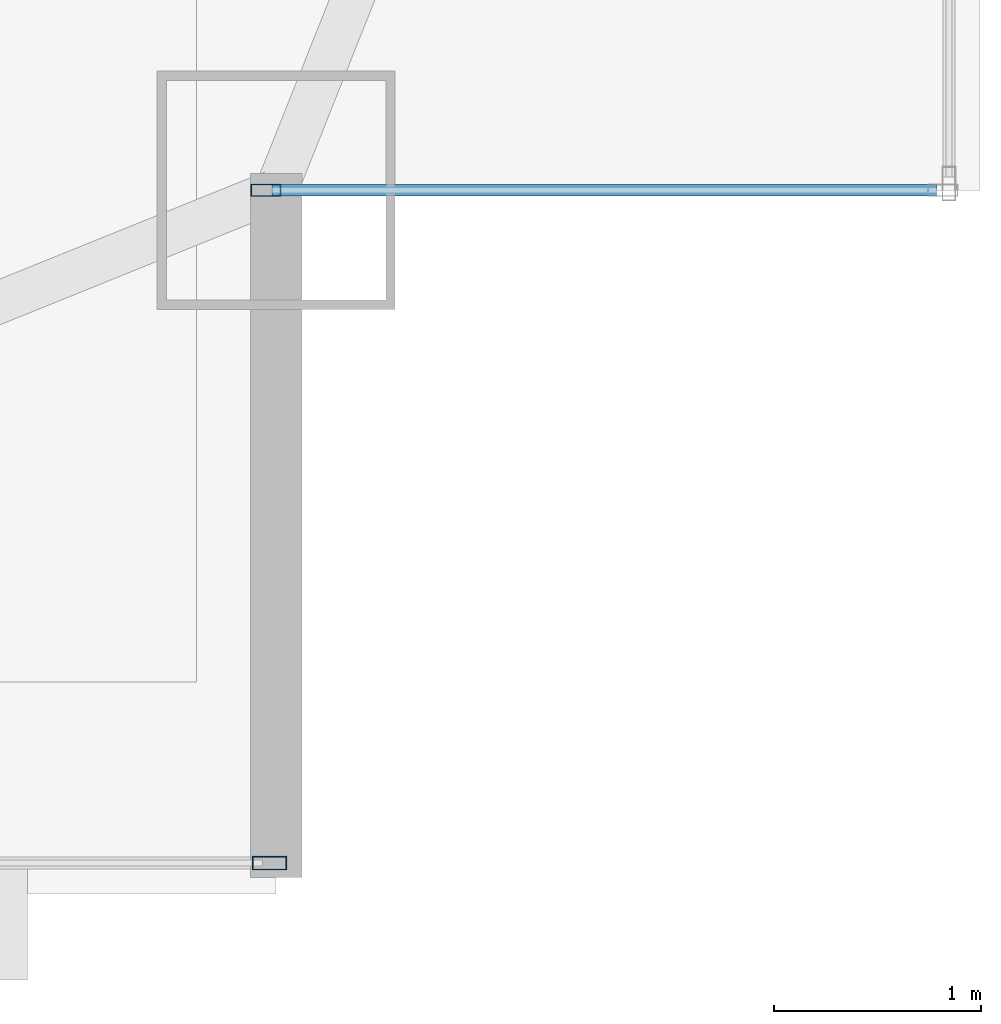
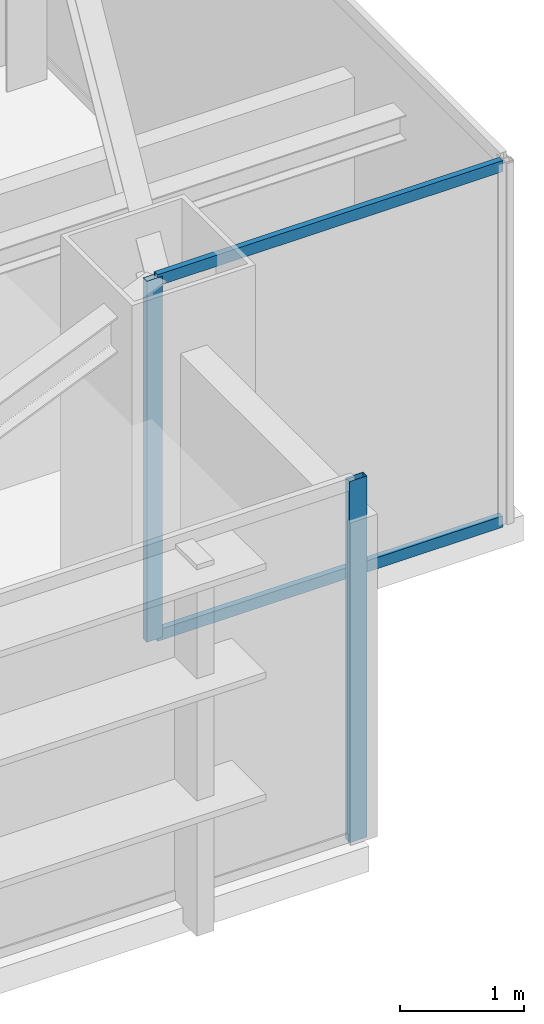
# One storey, part 11 of 25: 4 members, 2 elements without a shape of their own.
"""IFC4 building model written with IfcOpenShell, lengths in metres."""

import ifcopenshell
import ifcopenshell.guid

model = None  # the IFC model being written
_history = None  # IfcOwnerHistory: only IFC2X3 demands one
_inside = {}  # id of a spatial element -> (the spatial element, [elements in it])
_under = {}  # id of a project, library or spatial element -> (it, [spatial elements below it])
_declared = {}  # id of a project -> (the project, [libraries it declares])
_typed = {}  # id of a type object -> (the type object, [elements of that type])
_made_of = {}  # id of a material, layer set ... -> (it, [elements and type objects made of it])


def new_model(schema):
    """Start an empty IFC model of exactly this schema.

    Asked for "IFC4X3", IfcOpenShell would pick the latest addendum, in which some entities
    have other attributes; the version numbers below select the first issue.
    IFC2X3 requires an IfcOwnerHistory on every rooted entity: one is made here for all.
    """
    global model, _history
    if schema == "IFC4X3":
        model = ifcopenshell.file(schema_version=(4, 3, 0, 0))
    else:
        model = ifcopenshell.file(schema=schema)
    _inside.clear()
    _under.clear()
    _declared.clear()
    _typed.clear()
    _made_of.clear()
    _history = None
    if model.schema == "IFC2X3":
        org = make("IfcOrganization", Name="unknown")
        user = make(
            "IfcPersonAndOrganization",
            ThePerson=make("IfcPerson", FamilyName="unknown"),
            TheOrganization=org,
        )
        app = make(
            "IfcApplication",
            ApplicationDeveloper=org,
            Version="unknown",
            ApplicationFullName="unknown",
            ApplicationIdentifier="unknown",
        )
        _history = make(
            "IfcOwnerHistory",
            OwningUser=user,
            OwningApplication=app,
            ChangeAction="ADDED",
            CreationDate=0,
        )
    return model


def make(cls, **values):
    """One entity of the class cls with the attributes given. An attribute that is None is left unset."""
    return model.create_entity(
        cls, **{name: value for name, value in values.items() if value is not None}
    )


def rooted(cls, **values):
    """An entity with a GlobalId (a new one), such as an element, a storey or a relation."""
    return make(cls, GlobalId=ifcopenshell.guid.new(), OwnerHistory=_history, **values)


def si_unit(unit_type, name, prefix=None):
    """IfcSIUnit, for example si_unit("LENGTHUNIT", "METRE", prefix="MILLI")."""
    return make("IfcSIUnit", UnitType=unit_type, Prefix=prefix, Name=name)


def assignment(units):
    """IfcUnitAssignment: the units of a project."""
    return None if units is None else make("IfcUnitAssignment", Units=units)


def point(xyz):
    """IfcCartesianPoint."""
    return None if xyz is None else make("IfcCartesianPoint", Coordinates=xyz)


def direction(xyz):
    """IfcDirection."""
    return None if xyz is None else make("IfcDirection", DirectionRatios=xyz)


def frame(location, z_axis=None, x_axis=None):
    """IfcAxis2Placement3D, a coordinate frame: its origin and axes. An axis left out is left unset."""
    return make(
        "IfcAxis2Placement3D",
        Location=point(location),
        Axis=direction(z_axis),
        RefDirection=direction(x_axis),
    )


def frame_2d(location, x_axis=None):
    """IfcAxis2Placement2D, a coordinate frame in the plane: its origin and x axis."""
    return make(
        "IfcAxis2Placement2D", Location=point(location), RefDirection=direction(x_axis)
    )


def origin():
    """The frame at (0, 0, 0) with its axes left unset."""
    return frame((0.0, 0.0, 0.0))


def origin_2d():
    """The frame at (0, 0) in the plane with its x axis left unset."""
    return frame_2d((0.0, 0.0))


def place(relative_to, where):
    """IfcLocalPlacement: puts the frame where relative to a parent placement (None: the world)."""
    return make(
        "IfcLocalPlacement", PlacementRelTo=relative_to, RelativePlacement=where
    )


def context(
    kind, dimensions, precision=None, world=None, true_north=None, identifier=None
):
    """IfcGeometricRepresentationContext, for example the 3D "Model" context."""
    return make(
        "IfcGeometricRepresentationContext",
        ContextIdentifier=identifier,
        ContextType=kind,
        CoordinateSpaceDimension=dimensions,
        Precision=precision,
        WorldCoordinateSystem=world,
        TrueNorth=true_north,
    )


def subcontext(parent, identifier, kind, view, scale=None):
    """IfcGeometricRepresentationSubContext, for example "Body" below "Model"."""
    return make(
        "IfcGeometricRepresentationSubContext",
        ContextIdentifier=identifier,
        ContextType=kind,
        ParentContext=parent,
        TargetScale=scale,
        TargetView=view,
    )


def project(units=None, contexts=None):
    """IfcProject with its units and contexts."""
    return rooted(
        "IfcProject",
        Name="project",
        RepresentationContexts=contexts,
        UnitsInContext=assignment(units),
    )


def spatial(cls, under=None, at=None, **own):
    """A site, building, storey or space (cls), placed at a placement, below another one or the project."""
    s = rooted(cls, ObjectPlacement=at, **own)
    if under is not None:
        _under.setdefault(under.id(), (under, []))[1].append(s)
    return s


def profile(cls, at=None, kind="AREA", **sizes):
    """A parametric profile (cls). Its sizes go by their IFC names, for example OverallWidth=200.0."""
    return make(cls, ProfileType=kind, Position=at, **sizes)


def hollow_rectangle(**sizes):
    """IfcRectangleHollowProfileDef."""
    return profile("IfcRectangleHollowProfileDef", **sizes)


def extrude(swept, where, along, depth):
    """IfcExtrudedAreaSolid: the profile swept, set in the frame where, extruded along a direction by depth."""
    return make(
        "IfcExtrudedAreaSolid",
        SweptArea=swept,
        Position=where,
        ExtrudedDirection=direction(along),
        Depth=depth,
    )


def shape(context_of_items, identifier, shape_type, items):
    """IfcShapeRepresentation: the items that make up one representation, for example the "Body"."""
    return make(
        "IfcShapeRepresentation",
        ContextOfItems=context_of_items,
        RepresentationIdentifier=identifier,
        RepresentationType=shape_type,
        Items=items,
    )


def source(mapping_origin, context_of_items, identifier, shape_type, items):
    """IfcRepresentationMap: a shape defined once, which mapped items show again and again."""
    return make(
        "IfcRepresentationMap",
        MappingOrigin=mapping_origin,
        MappedRepresentation=shape(context_of_items, identifier, shape_type, items),
    )


def transform(
    local_origin,
    x_axis=None,
    y_axis=None,
    z_axis=None,
    scale=None,
    scale2=None,
    scale3=None,
    uniform=True,
):
    """IfcCartesianTransformationOperator3D, or its non-uniform kind. x_axis, y_axis, z_axis: its Axis1, 2, 3."""
    if uniform:
        return make(
            "IfcCartesianTransformationOperator3D",
            Axis1=direction(x_axis),
            Axis2=direction(y_axis),
            LocalOrigin=point(local_origin),
            Scale=scale,
            Axis3=direction(z_axis),
        )
    return make(
        "IfcCartesianTransformationOperator3DnonUniform",
        Axis1=direction(x_axis),
        Axis2=direction(y_axis),
        LocalOrigin=point(local_origin),
        Scale=scale,
        Axis3=direction(z_axis),
        Scale2=scale2,
        Scale3=scale3,
    )


def mapped(mapping_source, mapping_target):
    """IfcMappedItem: shows the shape of a source again, moved by a transform."""
    return make(
        "IfcMappedItem", MappingSource=mapping_source, MappingTarget=mapping_target
    )


def material(Name=None, Category=None):
    """IfcMaterial."""
    return make("IfcMaterial", Name=Name, Category=Category)


def layer(
    of_material, thickness, ventilated=None, Name=None, Category=None, Priority=None
):
    """IfcMaterialLayer: one layer of a wall or slab, of a material (None: an air gap)."""
    return make(
        "IfcMaterialLayer",
        Material=of_material,
        LayerThickness=thickness,
        IsVentilated=ventilated,
        Name=Name,
        Category=Category,
        Priority=Priority,
    )


def layer_set(layers, Name=None):
    """IfcMaterialLayerSet."""
    return make("IfcMaterialLayerSet", MaterialLayers=layers, LayerSetName=Name)


def material_profile(
    of_material, cross_section, Name=None, Category=None, Priority=None
):
    """IfcMaterialProfile: a cross section and its material."""
    return make(
        "IfcMaterialProfile",
        Name=Name,
        Material=of_material,
        Profile=cross_section,
        Priority=Priority,
        Category=Category,
    )


def profile_set(profiles, Name=None, composite=None):
    """IfcMaterialProfileSet."""
    return make(
        "IfcMaterialProfileSet",
        Name=Name,
        MaterialProfiles=profiles,
        CompositeProfile=composite,
    )


def made_of(thing, what):
    """Note that an element or type object is made of a material, layer set ...; save() writes the relation."""
    if what is not None:
        _made_of.setdefault(what.id(), (what, []))[1].append(thing)
    return thing


def type_object(cls, material=None, **own):
    """A type object (cls), such as IfcWallType, which elements share."""
    return made_of(rooted(cls, **own), material)


def type_shapes(of_type, sources):
    """Give a type object the sources (RepresentationMaps) that its elements show as mapped items."""
    of_type.RepresentationMaps = sources


def element(
    cls,
    number,
    at=None,
    inside=None,
    cuts=None,
    type_object=None,
    material=None,
    context=None,
    identifier="Body",
    shape_type=None,
    held_by="IfcProductDefinitionShape",
    body=None,
    shapes=None,
    **own,
):
    """One element of the class cls, such as IfcWall. Its Tag is "e" and its number.

    at: its placement. inside: the storey or other place that contains it. cuts: it is an
    opening in that element (IfcRelVoidsElement). A single representation is given by context,
    identifier, shape_type and body (its items); several are given by shapes. held_by: the class
    of the entity that holds the representations. save() writes the other relations.
    """
    e = rooted(cls, Tag="e%d" % number, ObjectPlacement=at, **own)
    if body is not None:
        shapes = [shape(context, identifier, shape_type, body)]
    if shapes is not None:
        e.Representation = make(held_by, Representations=shapes)
    if inside is not None:
        _inside.setdefault(inside.id(), (inside, []))[1].append(e)
    if cuts is not None:
        rooted(
            "IfcRelVoidsElement", RelatingBuildingElement=cuts, RelatedOpeningElement=e
        )
    if type_object is not None:
        _typed.setdefault(type_object.id(), (type_object, []))[1].append(e)
    return made_of(e, material)


def aggregate(whole, parts):
    """IfcRelAggregates: a whole, such as a stair, and the parts it consists of."""
    return rooted("IfcRelAggregates", RelatingObject=whole, RelatedObjects=parts)


def save(model, path):
    """Write the relations noted so far, then the file.

    IfcRelAggregates (storeys below a building ...), IfcRelContainedInSpatialStructure (elements
    in a storey), IfcRelDefinesByType, IfcRelAssociatesMaterial and IfcRelDeclares: one each for
    every whole, place, type object, material and project.
    """
    for whole, parts in _under.values():
        aggregate(whole, parts)
    for where, things in _inside.values():
        rooted(
            "IfcRelContainedInSpatialStructure",
            RelatedElements=things,
            RelatingStructure=where,
        )
    for kind, things in _typed.values():
        rooted("IfcRelDefinesByType", RelatedObjects=things, RelatingType=kind)
    for what, things in _made_of.values():
        rooted("IfcRelAssociatesMaterial", RelatedObjects=things, RelatingMaterial=what)
    for by, libraries in _declared.values():
        rooted("IfcRelDeclares", RelatingContext=by, RelatedDefinitions=libraries)
    model.write(path)


model = new_model("IFC4")

# Units and contexts
model_context = context("Model", 3, precision=1e-05, world=origin(), true_north=direction((0.0, 1.0)))
body_context = subcontext(model_context, "Body", "Model", "MODEL_VIEW")
ifc_project = project(units=[si_unit("LENGTHUNIT", "METRE"), si_unit("AREAUNIT", "SQUARE_METRE"), si_unit("VOLUMEUNIT", "CUBIC_METRE"), si_unit("PLANEANGLEUNIT", "RADIAN"), si_unit("MASSUNIT", "GRAM", prefix="KILO")], contexts=[model_context])

# Site, building, storey
site_placement = place(None, origin())
site = spatial("IfcSite", under=ifc_project, at=site_placement, CompositionType="ELEMENT")
building_placement = place(site_placement, origin())
building = spatial("IfcBuilding", under=site, at=building_placement, Name="Varnel Quay Broadcast Tower", CompositionType="ELEMENT")
storey_placement = place(building_placement, frame((0.0, 0.0, 226.39990234375)))
storey = spatial("IfcBuildingStorey", under=building, at=storey_placement, Name="L56", CompositionType="ELEMENT", Elevation=226.39990234375)

# Curtain wall, member
ifc_material = material(Name="Anodised Bronze Aluminium 6063-T6", Category="aluminium")
ifc_layer_1 = layer(ifc_material, 0.18994140625, Name="Anodised Bronze Aluminium 6063-T6")
ifc_layer_set_1 = layer_set([ifc_layer_1], Name="Anodised Bronze Aluminium 6063-T6")
curtain_wall_type_1 = type_object("IfcCurtainWallType", Name="CW_NotchCorner", PredefinedType="NOTDEFINED", material=ifc_layer_set_1)
curtain_wall_1_placement = place(storey_placement, origin())
curtain_wall_1 = element("IfcCurtainWall", 1, at=curtain_wall_1_placement, inside=storey, type_object=curtain_wall_type_1, Name="L56 SE Notch Curtain Wall", PredefinedType="NOTDEFINED")
ifc_material_profile_1 = material_profile(ifc_material, hollow_rectangle(XDim=0.06005859375, YDim=0.14501953125, WallThickness=0.00341796875, at=origin_2d()), Name="ALU60X145X3.5")
ifc_profile_set_1 = profile_set([ifc_material_profile_1], Name="Anodised Bronze Aluminium 6063-T6")
member_type_1 = type_object("IfcMemberType", Name="Mull_CWS-04", PredefinedType="MULLION", material=ifc_profile_set_1)
shared_shape_1 = source(origin(), body_context, "Body", "SweptSolid", [
    extrude(hollow_rectangle(XDim=0.06005859375, YDim=0.14501953125, WallThickness=0.00341796875, at=origin_2d()), origin(), (0.0, 0.0, 1.0), 3.550048828125),
])
type_shapes(member_type_1, [shared_shape_1])
member_1_placement = place(storey_placement, frame((55.050048828125, 13.60009765625, 0.0), z_axis=(0.0, 0.0, 1.0), x_axis=(0.0, 1.0, 0.0)))
member_1 = element("IfcMember", 2, at=member_1_placement, type_object=member_type_1, Name="CWS-04 mullion 1", PredefinedType="MULLION", context=body_context, shape_type="MappedRepresentation", body=[
    mapped(shared_shape_1, transform((0.0, 0.0, 0.0), x_axis=(1.0, 0.0, 0.0), y_axis=(0.0, 1.0, 0.0), z_axis=(0.0, 0.0, 1.0), scale=1.0)),
])

ifc_layer_2 = layer(ifc_material, 0.18994140625, Name="Anodised Bronze Aluminium 6063-T6")
ifc_layer_set_2 = layer_set([ifc_layer_2], Name="Anodised Bronze Aluminium 6063-T6")
curtain_wall_type_2 = type_object("IfcCurtainWallType", Name="CW_UpperTower", PredefinedType="NOTDEFINED", material=ifc_layer_set_2)
curtain_wall_2_placement = place(storey_placement, origin())
curtain_wall_2 = element("IfcCurtainWall", 3, at=curtain_wall_2_placement, inside=storey, type_object=curtain_wall_type_2, Name="L56 South Unitised Curtain Wall 1", PredefinedType="NOTDEFINED")
ifc_material_profile_2 = material_profile(ifc_material, hollow_rectangle(XDim=0.06494140625, YDim=0.1650390625, WallThickness=0.00341796875, at=origin_2d()), Name="ALU65X165X3.5")
ifc_profile_set_2 = profile_set([ifc_material_profile_2], Name="Anodised Bronze Aluminium 6063-T6")
member_type_2 = type_object("IfcMemberType", Name="Mull_CWS-03", PredefinedType="MULLION", material=ifc_profile_set_2)
shared_shape_2 = source(origin(), body_context, "Body", "SweptSolid", [
    extrude(hollow_rectangle(XDim=0.06494140625, YDim=0.1650390625, WallThickness=0.00341796875, at=origin_2d()), origin(), (0.0, 0.0, 1.0), 3.550048828125),
])
type_shapes(member_type_2, [shared_shape_2])
member_2_placement = place(storey_placement, frame((55.0673828125, 10.35009765625, 0.0), z_axis=(0.0, 0.0, 1.0), x_axis=(0.0, 1.0, 0.0)))
member_2 = element("IfcMember", 4, at=member_2_placement, type_object=member_type_2, Name="CWS-03 mullion 4", PredefinedType="MULLION", context=body_context, shape_type="MappedRepresentation", body=[
    mapped(shared_shape_2, transform((0.0, 0.0, 0.0), x_axis=(1.0, 0.0, 0.0), y_axis=(0.0, 1.0, 0.0), z_axis=(0.0, 0.0, 1.0), scale=1.0)),
])
aggregate(curtain_wall_2, [member_2])

# Member
ifc_material_profile_3 = material_profile(ifc_material, hollow_rectangle(XDim=0.054931640625, YDim=0.110107421875, WallThickness=0.0029296875, at=origin_2d()), Name="ALU55X110X3")
ifc_profile_set_3 = profile_set([ifc_material_profile_3], Name="Anodised Bronze Aluminium 6063-T6")
member_type_3 = type_object("IfcMemberType", Name="Tran_CWS-04", PredefinedType="USERDEFINED", material=ifc_profile_set_3)
shared_shape_3 = source(origin(), body_context, "Body", "SweptSolid", [
    extrude(hollow_rectangle(XDim=0.054931640625, YDim=0.110107421875, WallThickness=0.0029296875, at=origin_2d()), origin(), (0.0, 0.0, 1.0), 3.2099609375),
])
type_shapes(member_type_3, [shared_shape_3])
member_3_placement = place(storey_placement, frame((55.080078125, 13.60009765625, 0.027587890625), z_axis=(1.0, 0.0, 0.0), x_axis=(0.0, 1.0, 0.0)))
member_3 = element("IfcMember", 5, at=member_3_placement, type_object=member_type_3, Name="CWS-04 transom 1.1", ObjectType="TRANSOM", PredefinedType="USERDEFINED", context=body_context, shape_type="MappedRepresentation", body=[
    mapped(shared_shape_3, transform((0.0, 0.0, 0.0), x_axis=(1.0, 0.0, 0.0), y_axis=(0.0, 1.0, 0.0), z_axis=(0.0, 0.0, 1.0), scale=1.0)),
])

member_4_placement = place(storey_placement, frame((55.080078125, 13.60009765625, 3.522705078125), z_axis=(1.0, 0.0, 0.0), x_axis=(0.0, 1.0, 0.0)))
member_4 = element("IfcMember", 6, at=member_4_placement, type_object=member_type_3, Name="CWS-04 transom 1.2", ObjectType="TRANSOM", PredefinedType="USERDEFINED", context=body_context, shape_type="MappedRepresentation", body=[
    mapped(shared_shape_3, transform((0.0, 0.0, 0.0), x_axis=(1.0, 0.0, 0.0), y_axis=(0.0, 1.0, 0.0), z_axis=(0.0, 0.0, 1.0), scale=1.0)),
])

aggregate(curtain_wall_1, [member_1, member_3, member_4])

save(model, "model.ifc")
